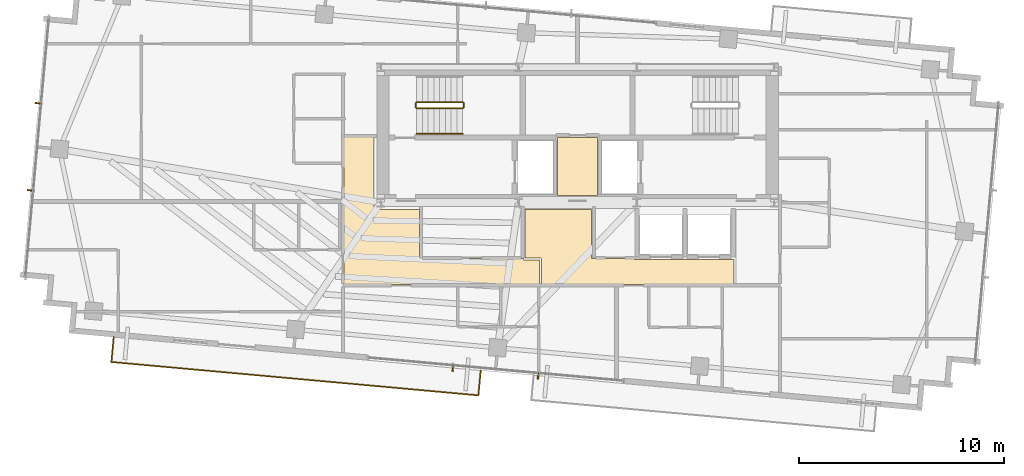
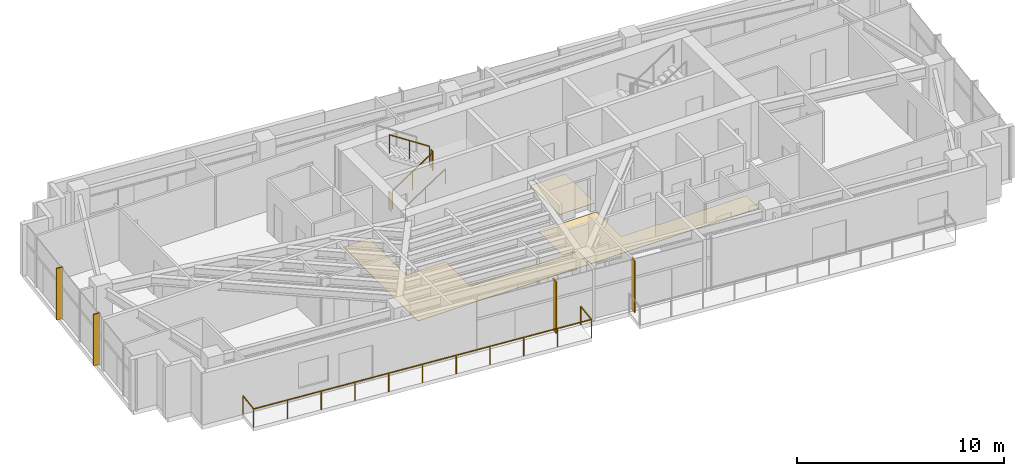
# One storey, part 20 of 22: 6 railings, 4 shading devices, 3 coverings.
"""IFC4 building model written with IfcOpenShell, lengths in metres."""

from ifc_helpers import new_model, si_unit, direction, frame, origin, origin_2d, place, context, subcontext, project, spatial, polyline, rectangle, outline, extrude, source, transform, mapped, material, layer, layer_set, type_object, type_shapes, element, save


model = new_model("IFC4")

# Units and contexts
model_context = context("Model", 3, precision=1e-05, world=origin(), true_north=direction((0.0, 1.0)))
body_context = subcontext(model_context, "Body", "Model", "MODEL_VIEW")
ifc_project = project(units=[si_unit("LENGTHUNIT", "METRE"), si_unit("AREAUNIT", "SQUARE_METRE"), si_unit("VOLUMEUNIT", "CUBIC_METRE"), si_unit("PLANEANGLEUNIT", "RADIAN"), si_unit("MASSUNIT", "GRAM", prefix="KILO")], contexts=[model_context])

# Site, building, storey
site_placement = place(None, origin())
site = spatial("IfcSite", under=ifc_project, at=site_placement, CompositionType="ELEMENT")
building_placement = place(site_placement, origin())
building = spatial("IfcBuilding", under=site, at=building_placement, Name="Astriad Promenade Condominiums", CompositionType="ELEMENT")
storey_placement = place(building_placement, frame((0.0, 0.0, 229.800048828125)))
storey = spatial("IfcBuildingStorey", under=building, at=storey_placement, Name="L66", CompositionType="ELEMENT", Elevation=229.800048828125)

# Coverings
ifc_material_1 = material(Name="Polished Lakefront Terrazzo Flooring")
ifc_layer = layer(ifc_material_1, 0.02001953125)
ifc_layer_set = layer_set([ifc_layer], Name="Polished Lakefront Terrazzo Flooring")
covering_type = type_object("IfcCoveringType", Name="COV-FLOR-TERRAZZO-20", PredefinedType="FLOORING", material=ifc_layer_set)
covering_1_placement = place(storey_placement, origin())
element("IfcCovering", 1, at=covering_1_placement, inside=storey, type_object=covering_type, Name="FLR-L66-CSL", PredefinedType="FLOORING", context=body_context, shape_type="SweptSolid", body=[
    extrude(outline(polyline([(36.97998046875, 17.739990234375), (35.02001953125, 17.739990234375), (35.02001953125, 20.580078125), (36.97998046875, 20.580078125), (36.97998046875, 17.739990234375)])), origin(), (0.0, 0.0, 1.0), 0.02001953125),
])
covering_2_placement = place(storey_placement, origin())
element("IfcCovering", 2, at=covering_2_placement, inside=storey, type_object=covering_type, Name="FLR-L66-LLB", PredefinedType="FLOORING", context=body_context, shape_type="SweptSolid", body=[
    extrude(outline(polyline([(43.639892578125, 14.610107421875), (43.639892578125, 13.39990234375), (34.239990234375, 13.39990234375), (34.239990234375, 14.64990234375), (34.23974609375, 14.65380859375), (34.2392578125, 14.65771484375), (34.23828125, 14.66162109375), (34.237060546875, 14.665283203125), (34.2353515625, 14.6689453125), (34.2333984375, 14.672119140625), (34.23095703125, 14.67529296875), (34.228271484375, 14.67822265625), (34.225341796875, 14.680908203125), (34.22216796875, 14.683349609375), (34.218994140625, 14.685302734375), (34.21533203125, 14.68701171875), (34.211669921875, 14.688232421875), (34.207763671875, 14.689208984375), (34.203857421875, 14.689697265625), (34.199951171875, 14.68994140625), (33.43994140625, 14.68994140625), (33.43994140625, 17.06005859375), (36.679931640625, 17.06005859375), (36.679931640625, 14.699951171875), (36.68017578125, 14.696044921875), (36.680908203125, 14.692138671875), (36.681640625, 14.6884765625), (36.68310546875, 14.684814453125), (36.684814453125, 14.68115234375), (36.686767578125, 14.677734375), (36.689208984375, 14.674560546875), (36.691650390625, 14.671630859375), (36.694580078125, 14.669189453125), (36.69775390625, 14.666748046875), (36.701171875, 14.664794921875), (36.70458984375, 14.6630859375), (36.70849609375, 14.66162109375), (36.712158203125, 14.660888671875), (36.716064453125, 14.66015625), (36.719970703125, 14.659912109375), (38.760009765625, 14.659912109375), (38.760009765625, 14.64990234375), (38.76025390625, 14.64599609375), (38.7607421875, 14.64208984375), (38.76171875, 14.638427734375), (38.762939453125, 14.634765625), (38.7646484375, 14.631103515625), (38.7666015625, 14.627685546875), (38.76904296875, 14.62451171875), (38.771728515625, 14.62158203125), (38.774658203125, 14.619140625), (38.77783203125, 14.61669921875), (38.781005859375, 14.61474609375), (38.78466796875, 14.613037109375), (38.788330078125, 14.61181640625), (38.792236328125, 14.61083984375), (38.796142578125, 14.610107421875), (38.800048828125, 14.610107421875), (43.639892578125, 14.610107421875)])), origin(), (0.0, 0.0, 1.0), 0.02001953125),
])
covering_3_placement = place(storey_placement, origin())
element("IfcCovering", 3, at=covering_3_placement, inside=storey, type_object=covering_type, Name="FLR-L66-COR-1", PredefinedType="FLOORING", context=body_context, shape_type="SweptSolid", body=[
    extrude(outline(polyline([(24.590087890625, 13.39990234375), (24.590087890625, 20.610107421875), (26.06005859375, 20.610107421875), (26.06005859375, 17.10009765625), (26.060302734375, 17.09619140625), (26.060791015625, 17.09228515625), (26.061767578125, 17.08837890625), (26.06298828125, 17.084716796875), (26.064697265625, 17.0810546875), (26.066650390625, 17.077880859375), (26.069091796875, 17.07470703125), (26.07177734375, 17.07177734375), (26.07470703125, 17.069091796875), (26.077880859375, 17.066650390625), (26.0810546875, 17.064697265625), (26.084716796875, 17.06298828125), (26.08837890625, 17.061767578125), (26.09228515625, 17.060791015625), (26.09619140625, 17.060302734375), (26.10009765625, 17.06005859375), (28.280029296875, 17.06005859375), (28.280029296875, 14.699951171875), (28.2802734375, 14.696044921875), (28.28076171875, 14.692138671875), (28.28173828125, 14.6884765625), (28.282958984375, 14.684814453125), (28.28466796875, 14.68115234375), (28.28662109375, 14.677734375), (28.2890625, 14.674560546875), (28.291748046875, 14.671630859375), (28.294677734375, 14.669189453125), (28.2978515625, 14.666748046875), (28.301025390625, 14.664794921875), (28.3046875, 14.6630859375), (28.308349609375, 14.66162109375), (28.312255859375, 14.660888671875), (28.316162109375, 14.66015625), (28.320068359375, 14.659912109375), (33.35009765625, 14.659912109375), (33.35009765625, 14.64892578125), (33.35009765625, 14.64501953125), (33.350830078125, 14.64111328125), (33.35107421875, 14.64013671875), (33.351318359375, 14.639404296875), (33.351318359375, 14.638427734375), (33.352294921875, 14.634521484375), (33.353759765625, 14.630859375), (33.3544921875, 14.629150390625), (33.356201171875, 14.6259765625), (33.356689453125, 14.625), (33.35888671875, 14.62158203125), (33.3603515625, 14.61962890625), (33.36083984375, 14.618896484375), (33.361083984375, 14.61865234375), (33.361328125, 14.618408203125), (33.361572265625, 14.617919921875), (33.36328125, 14.615966796875), (33.365966796875, 14.61328125), (33.367919921875, 14.611572265625), (33.368408203125, 14.611328125), (33.36865234375, 14.611083984375), (33.368896484375, 14.61083984375), (33.36962890625, 14.6103515625), (33.37158203125, 14.60888671875), (33.375, 14.606689453125), (33.3759765625, 14.606201171875), (33.379150390625, 14.6044921875), (33.3798828125, 14.604248046875), (33.380859375, 14.603759765625), (33.384521484375, 14.602294921875), (33.388427734375, 14.601318359375), (33.389404296875, 14.601318359375), (33.39013671875, 14.60107421875), (33.39111328125, 14.600830078125), (33.39501953125, 14.60009765625), (33.39892578125, 14.60009765625), (34.14990234375, 14.60009765625), (34.14990234375, 13.39990234375), (24.590087890625, 13.39990234375)])), origin(), (0.0, 0.0, 1.0), 0.02001953125),
])

# Shading devices
ifc_material_2 = material(Name="Anodised aluminium 6063-T6 Black Fin", Category="aluminium")
shading_device_type = type_object("IfcShadingDeviceType", Name="FIN-BLACK-260", PredefinedType="USERDEFINED", material=ifc_material_2)
shared_shape_1 = source(origin(), body_context, "Body", "SweptSolid", [
    extrude(rectangle(XDim=0.06494140625, YDim=0.320068359375, at=origin_2d()), origin(), (0.0, 0.0, 1.0), 3.0400390625),
])
type_shapes(shading_device_type, [shared_shape_1])
for number, where, z_axis, x_axis, name in (
    (4, (9.293212890625, 17.9970703125, 0.0), (0.0, 0.0, 1.0), (0.090632580198, 0.995884398616, 0.0), "CW-L66-W-FIN-01"),
    (5, (9.6796875, 22.246337890625, 0.0), (0.0, 0.0, 1.0), (0.090632580198, 0.995884398616, 0.0), "CW-L66-W-FIN-02"),
    (6, (34.073974609375, 8.937255859375, 0.0), (0.0, 0.0, 1.0), (-0.995884398616, 0.090632580198, 0.0), "CW-L66-S-FIN-01"),
    (7, (29.9111328125, 9.316162109375, 0.0), (0.0, 0.0, 1.0), (-0.995884398616, 0.090632580198, 0.0), "CW-L66-S-FIN-02"),
):
    element("IfcShadingDevice", number, at=place(storey_placement, frame(where, z_axis=z_axis, x_axis=x_axis)), inside=storey, type_object=shading_device_type, Name=name, ObjectType="FIN", PredefinedType="USERDEFINED", context=body_context, shape_type="MappedRepresentation", body=[
        mapped(shared_shape_1, transform((0.0, 0.0, 0.0), scale=1.0)),
    ])

# Railings
ifc_material_3 = material(Name="Laminated Glass and Stainless Steel Balustrade", Category="steel")
railing_type_1 = type_object("IfcRailingType", Name="GRD-BALC-1120", PredefinedType="BALUSTRADE", material=ifc_material_3)
shared_shape_2 = source(origin(), body_context, "Body", "SweptSolid", [
    extrude(rectangle(XDim=0.048095703125, YDim=0.048095703125, at=origin_2d()), frame((0.0, 0.0, 1.09619140625), z_axis=(-0.09066206129, -0.995881715186, 0.0), x_axis=(0.995881715186, -0.09066206129, 0.0)), (0.0, 0.0, 1.0), 1.219970703125),
    extrude(rectangle(XDim=0.048095703125, YDim=0.048095703125, at=origin_2d()), frame((-0.110595703125, -1.21484375, 1.09619140625), z_axis=(0.995883858824, -0.090638511321, 0.0), x_axis=(0.090638511321, 0.995883858824, 0.0)), (0.0, 0.0, 1.0), 17.992919921875),
    extrude(rectangle(XDim=0.048095703125, YDim=0.048095703125, at=origin_2d()), frame((17.808349609375, -2.845703125, 1.09619140625), z_axis=(0.090643994769, 0.995883359743, 0.0), x_axis=(-0.995883359743, 0.090643994769, 0.0)), (0.0, 0.0, 1.0), 1.22021484375),
    extrude(rectangle(XDim=0.0419921875, YDim=0.0419921875, at=origin_2d()), origin(), (0.0, 0.0, 1.0), 1.072021484375),
    extrude(rectangle(XDim=0.0419921875, YDim=0.0419921875, at=origin_2d()), frame((-0.110595703125, -1.21484375, 0.0)), (0.0, 0.0, 1.0), 1.072021484375),
    extrude(rectangle(XDim=0.0419921875, YDim=0.0419921875, at=origin_2d()), frame((1.681396484375, -1.3779296875, 0.0)), (0.0, 0.0, 1.0), 1.072021484375),
    extrude(rectangle(XDim=0.0419921875, YDim=0.0419921875, at=origin_2d()), frame((3.47314453125, -1.541015625, 0.0)), (0.0, 0.0, 1.0), 1.072021484375),
    extrude(rectangle(XDim=0.0419921875, YDim=0.0419921875, at=origin_2d()), frame((5.26513671875, -1.7041015625, 0.0)), (0.0, 0.0, 1.0), 1.072021484375),
    extrude(rectangle(XDim=0.0419921875, YDim=0.0419921875, at=origin_2d()), frame((7.056884765625, -1.8671875, 0.0)), (0.0, 0.0, 1.0), 1.072021484375),
    extrude(rectangle(XDim=0.0419921875, YDim=0.0419921875, at=origin_2d()), frame((8.848876953125, -2.0302734375, 0.0)), (0.0, 0.0, 1.0), 1.072021484375),
    extrude(rectangle(XDim=0.0419921875, YDim=0.0419921875, at=origin_2d()), frame((10.640869140625, -2.193359375, 0.0)), (0.0, 0.0, 1.0), 1.072021484375),
    extrude(rectangle(XDim=0.0419921875, YDim=0.0419921875, at=origin_2d()), frame((12.4326171875, -2.3564453125, 0.0)), (0.0, 0.0, 1.0), 1.072021484375),
    extrude(rectangle(XDim=0.0419921875, YDim=0.0419921875, at=origin_2d()), frame((14.224609375, -2.51953125, 0.0)), (0.0, 0.0, 1.0), 1.072021484375),
    extrude(rectangle(XDim=0.0419921875, YDim=0.0419921875, at=origin_2d()), frame((16.016357421875, -2.6826171875, 0.0)), (0.0, 0.0, 1.0), 1.072021484375),
    extrude(rectangle(XDim=0.0419921875, YDim=0.0419921875, at=origin_2d()), frame((17.808349609375, -2.845703125, 0.0)), (0.0, 0.0, 1.0), 1.072021484375),
    extrude(rectangle(XDim=0.0419921875, YDim=0.0419921875, at=origin_2d()), frame((17.9189453125, -1.630615234375, 0.0)), (0.0, 0.0, 1.0), 1.072021484375),
])
type_shapes(railing_type_1, [shared_shape_2])
railing_1_placement = place(storey_placement, frame((13.35546875, 10.832763671875, 0.0)))
element("IfcRailing", 8, at=railing_1_placement, inside=storey, type_object=railing_type_1, Name="GRD-BALC-L66-SW", PredefinedType="BALUSTRADE", context=body_context, shape_type="MappedRepresentation", body=[
    mapped(shared_shape_2, transform((0.0, 0.0, 0.0), scale=1.0)),
])
ifc_material_4 = material(Name="Painted Galvanised Steel Guardrail", Category="steel")
railing_type_2 = type_object("IfcRailingType", Name="GRD-STAIR-1100", PredefinedType="GUARDRAIL", material=ifc_material_4)
shared_shape_3 = source(origin(), body_context, "Body", "SweptSolid", [
    extrude(rectangle(XDim=0.048095703125, YDim=0.048095703125, at=origin_2d()), frame((0.0, 0.0, 1.076171875), z_axis=(0.0, 1.0, 0.0), x_axis=(-1.0, 0.0, 0.0)), (0.0, 0.0, 1.0), 0.199951171875),
    extrude(rectangle(XDim=0.0419921875, YDim=0.0419921875, at=origin_2d()), origin(), (0.0, 0.0, 1.0), 1.052001953125),
    extrude(rectangle(XDim=0.0419921875, YDim=0.0419921875, at=origin_2d()), frame((0.0, 0.199951171875, 0.0)), (0.0, 0.0, 1.0), 1.052001953125),
])
for number, where, name in (
    (9, (30.43994140625, 22.050048828125, 1.64990234375), "L66 ST-1 stair guard 2"),
    (10, (28.10009765625, 22.050048828125, 0.0), "L66 ST-1 stair guard 4"),
):
    element("IfcRailing", number, at=place(storey_placement, frame(where)), inside=storey, type_object=railing_type_2, Name=name, PredefinedType="GUARDRAIL", context=body_context, shape_type="MappedRepresentation", body=[
        mapped(shared_shape_3, transform((0.0, 0.0, 0.0), scale=1.0)),
    ])
shared_shape_4 = source(origin(), body_context, "Body", "SweptSolid", [
    extrude(rectangle(XDim=0.048095703125, YDim=0.048095703125, at=origin_2d()), frame((0.0, 0.0, 1.076171875), z_axis=(0.836636935527, 0.0, 0.547757827979), x_axis=(0.0, 1.0, 0.0)), (0.0, 0.0, 1.0), 2.677490234375),
    extrude(rectangle(XDim=0.0419921875, YDim=0.0419921875, at=origin_2d()), origin(), (0.0, 0.0, 1.0), 1.052001953125),
    extrude(rectangle(XDim=0.0419921875, YDim=0.0419921875, at=origin_2d()), frame((1.1201171875, 0.0, 0.7333984375)), (0.0, 0.0, 1.0), 1.052001953125),
    extrude(rectangle(XDim=0.0419921875, YDim=0.0419921875, at=origin_2d()), frame((2.239990234375, 0.0, 1.466552734375)), (0.0, 0.0, 1.0), 1.052001953125),
])
railing_2_placement = place(storey_placement, frame((28.14990234375, 22.0, 0.183349609375)))
element("IfcRailing", 11, at=railing_2_placement, inside=storey, type_object=railing_type_2, Name="L66 ST-1 stair guard 1", PredefinedType="GUARDRAIL", context=body_context, shape_type="MappedRepresentation", body=[
    mapped(shared_shape_4, transform((0.0, 0.0, 0.0), scale=1.0)),
])
ifc_material_5 = material(Name="Brushed Stainless Steel Handrail", Category="steel")
railing_type_3 = type_object("IfcRailingType", Name="HRL-STAIR-920", PredefinedType="HANDRAIL", material=ifc_material_5)
shared_shape_5 = source(origin(), body_context, "Body", "SweptSolid", [
    extrude(rectangle(XDim=0.048095703125, YDim=0.048095703125, at=origin_2d()), frame((0.0, 0.0, 0.8759765625), z_axis=(0.836636935527, 0.0, 0.547757827979), x_axis=(0.0, 1.0, 0.0)), (0.0, 0.0, 1.0), 2.677490234375),
    extrude(rectangle(XDim=0.0419921875, YDim=0.0419921875, at=origin_2d()), origin(), (0.0, 0.0, 1.0), 0.851806640625),
    extrude(rectangle(XDim=0.0419921875, YDim=0.0419921875, at=origin_2d()), frame((1.1201171875, 0.0, 0.7333984375)), (0.0, 0.0, 1.0), 0.851806640625),
    extrude(rectangle(XDim=0.0419921875, YDim=0.0419921875, at=origin_2d()), frame((2.239990234375, 0.0, 1.466552734375)), (0.0, 0.0, 1.0), 0.851806640625),
])
type_shapes(railing_type_3, [shared_shape_5])
railing_3_placement = place(storey_placement, frame((28.14990234375, 20.75, 0.183349609375)))
element("IfcRailing", 12, at=railing_3_placement, inside=storey, type_object=railing_type_3, Name="L66 ST-1 stair handrail 1", PredefinedType="HANDRAIL", context=body_context, shape_type="MappedRepresentation", body=[
    mapped(shared_shape_5, transform((0.0, 0.0, 0.0), scale=1.0)),
])
shared_shape_6 = source(origin(), body_context, "Body", "SweptSolid", [
    extrude(rectangle(XDim=0.048095703125, YDim=0.048095703125, at=origin_2d()), frame((0.0, 0.0, 1.076171875), z_axis=(-0.836595146698, 0.0, 0.547821650285), x_axis=(0.0, -1.0, 0.0)), (0.0, 0.0, 1.0), 2.677490234375),
    extrude(rectangle(XDim=0.0419921875, YDim=0.0419921875, at=origin_2d()), origin(), (0.0, 0.0, 1.0), 1.052001953125),
    extrude(rectangle(XDim=0.0419921875, YDim=0.0419921875, at=origin_2d()), frame((-1.1201171875, 0.0, 0.7333984375)), (0.0, 0.0, 1.0), 1.052001953125),
    extrude(rectangle(XDim=0.0419921875, YDim=0.0419921875, at=origin_2d()), frame((-2.239990234375, 0.0, 1.466796875)), (0.0, 0.0, 1.0), 1.052001953125),
])
type_shapes(railing_type_2, [shared_shape_3, shared_shape_4, shared_shape_6])
railing_4_placement = place(storey_placement, frame((30.389892578125, 22.300048828125, 1.833251953125)))
element("IfcRailing", 13, at=railing_4_placement, inside=storey, type_object=railing_type_2, Name="L66 ST-1 stair guard 3", PredefinedType="GUARDRAIL", context=body_context, shape_type="MappedRepresentation", body=[
    mapped(shared_shape_6, transform((0.0, 0.0, 0.0), scale=1.0)),
])

save(model, "model.ifc")
